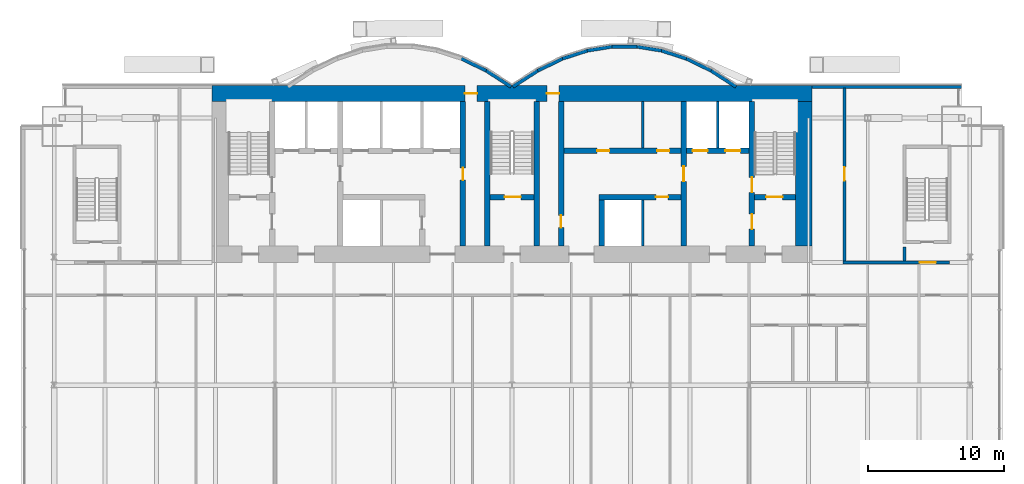
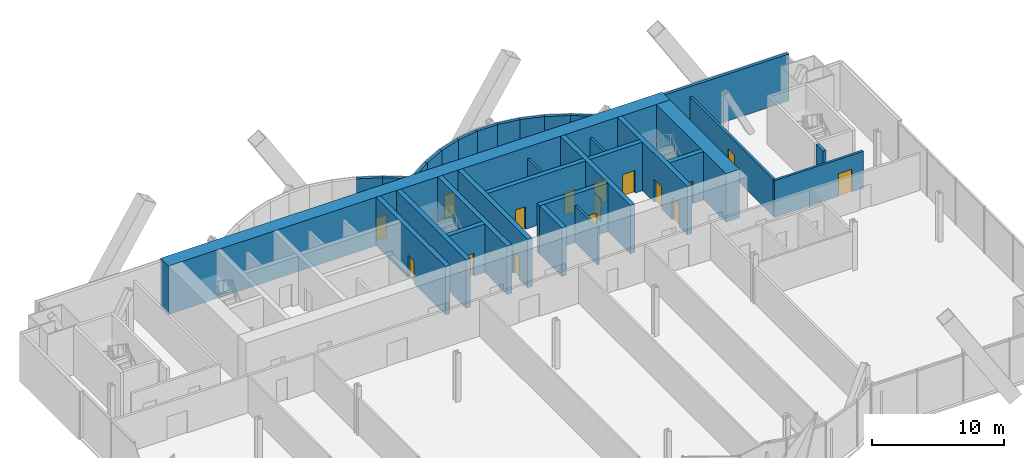
# One storey, part 18 of 23: 31 walls, 16 doors, 16 openings.
"""IFC4 building model written with IfcOpenShell, lengths in metres."""

from ifc_helpers import new_model, si_unit, direction, frame, frame_2d, origin, place, context, subcontext, project, spatial, rectangle, extrude, material, layer, layer_set, layer_usage, type_object, element, fill, save


model = new_model("IFC4")

# Units and contexts
model_context = context("Model", 3, precision=1e-05, world=origin(), true_north=direction((0.0, 1.0)))
body_context = subcontext(model_context, "Body", "Model", "MODEL_VIEW")
ifc_project = project(units=[si_unit("LENGTHUNIT", "METRE"), si_unit("AREAUNIT", "SQUARE_METRE"), si_unit("VOLUMEUNIT", "CUBIC_METRE"), si_unit("PLANEANGLEUNIT", "RADIAN"), si_unit("MASSUNIT", "GRAM", prefix="KILO")], contexts=[model_context])

# Site, building, storey
site_placement = place(None, origin())
site = spatial("IfcSite", under=ifc_project, at=site_placement, CompositionType="ELEMENT")
building_placement = place(site_placement, origin())
building = spatial("IfcBuilding", under=site, at=building_placement, Name="Bicima Exchange Tower", CompositionType="ELEMENT")
storey_placement = place(building_placement, frame((0.0, 0.0, 44.0)))
storey = spatial("IfcBuildingStorey", under=building, at=storey_placement, Name="L08", CompositionType="ELEMENT", Elevation=44.0)

# Walls
ifc_material_1 = material(Name="Gypsum board partition")
ifc_layer_1 = layer(ifc_material_1, 0.199951171875)
ifc_layer_set_1 = layer_set([ifc_layer_1], Name="Gypsum board partition")
wall_type_1 = type_object("IfcWallType", Name="Fire-rated gypsum partition 200 EI120", PredefinedType="PARTITIONING", material=ifc_layer_set_1)
for number, where, z_axis, x_axis, name in (
    (1, (9.60009765625, -11.800048828125, 0.0), (0.0, 0.0, 1.0), (0.0, 1.0, 0.0), "partition wall 20"),
    (2, (15.10009765625, -4.60009765625, 0.0), (0.0, 0.0, 1.0), (0.0, 1.0, 0.0), "partition wall 23"),
):
    element("IfcWall", number, at=place(storey_placement, frame(where, z_axis=z_axis, x_axis=x_axis)), inside=storey, type_object=wall_type_1, Name=name, PredefinedType="PARTITIONING", context=body_context, shape_type="SweptSolid", body=[
        extrude(rectangle(XDim=3.400146484375, YDim=0.199951171875, at=frame_2d((1.7001953125, 0.0))), origin(), (0.0, 0.0, 1.0), 3.418212890625),
    ])

# Wall, opening, door
ifc_layer_2 = layer(ifc_material_1, 0.199951171875)
ifc_layer_set_2 = layer_set([ifc_layer_2], Name="Gypsum board partition")
wall_type_2 = type_object("IfcWallType", Name="Fire-rated gypsum partition 200 EI60", PredefinedType="PARTITIONING", material=ifc_layer_set_2)
wall_1_placement = place(storey_placement, frame((24.300048828125, -13.0, 0.0), z_axis=(0.0, 0.0, 1.0), x_axis=(1.0, 0.0, 0.0)))
wall_1 = element("IfcWall", 3, at=wall_1_placement, inside=storey, type_object=wall_type_2, Name="partition wall 5", PredefinedType="PARTITIONING", context=body_context, shape_type="SweptSolid", body=[
    extrude(rectangle(XDim=7.800048828125, YDim=0.199951171875, at=frame_2d((3.89990234375, 0.0))), origin(), (0.0, 0.0, 1.0), 3.418212890625),
])
opening_1_placement = place(wall_1_placement, frame((5.60009765625, 0.0, 0.0)))
opening_1 = element("IfcOpeningElement", 4, at=opening_1_placement, cuts=wall_1, Name="Opening L08-003", PredefinedType="OPENING", context=body_context, shape_type="SweptSolid", body=[
    extrude(rectangle(XDim=1.199951171875, YDim=2.10009765625, at=frame_2d((0.60009765625, 1.050048828125))), frame((0.0, 0.11181640625, 0.0), z_axis=(0.0, -1.0, 0.0), x_axis=(1.0, 0.0, 0.0)), (0.0, 0.0, 1.0), 0.223876953125),
])
ifc_material_2 = material(Name="Steel fire door leaf", Category="steel")
door_type_1 = type_object("IfcDoorType", Name="Door 1200 swing FD30S", OperationType="SINGLE_SWING_LEFT", PredefinedType="DOOR", material=ifc_material_2)
door_1_placement = place(opening_1_placement, origin())
door_1 = element("IfcDoor", 5, at=door_1_placement, inside=storey, type_object=door_type_1, Name="Door", OperationType="SINGLE_SWING_RIGHT", OverallHeight=2.10009765625, OverallWidth=1.199951171875, PredefinedType="DOOR", context=body_context, shape_type="SweptSolid", body=[
    extrude(rectangle(XDim=1.199951171875, YDim=2.10009765625, at=frame_2d((0.60009765625, 1.050048828125))), frame((0.0, 0.02490234375, 0.0), z_axis=(0.0, -1.0, 0.0), x_axis=(1.0, 0.0, 0.0)), (0.0, 0.0, 1.0), 0.050048828125),
])
fill(opening_1, door_1)

wall_2_placement = place(storey_placement, frame((24.39990234375, -12.89990234375, 0.0), z_axis=(0.0, 0.0, 1.0), x_axis=(0.0, 1.0, 0.0)))
wall_2 = element("IfcWall", 6, at=wall_2_placement, inside=storey, type_object=wall_type_2, Name="partition wall 26", PredefinedType="PARTITIONING", context=body_context, shape_type="SweptSolid", body=[
    extrude(rectangle(XDim=12.68994140625, YDim=0.199951171875, at=frame_2d((6.344970703125, 0.0))), origin(), (0.0, 0.0, 1.0), 3.418212890625),
])
opening_2_placement = place(wall_2_placement, frame((5.89990234375, 0.0, 0.0)))
opening_2 = element("IfcOpeningElement", 7, at=opening_2_placement, cuts=wall_2, Name="Opening L08-006", PredefinedType="OPENING", context=body_context, shape_type="SweptSolid", body=[
    extrude(rectangle(XDim=1.0, YDim=2.10009765625, at=frame_2d((0.5, 1.050048828125))), frame((0.0, 0.11181640625, 0.0), z_axis=(0.0, -1.0, 0.0), x_axis=(1.0, 0.0, 0.0)), (0.0, 0.0, 1.0), 0.223876953125),
])
door_type_2 = type_object("IfcDoorType", Name="Door 1000 swing FD30S", OperationType="SINGLE_SWING_LEFT", PredefinedType="DOOR", material=ifc_material_2)
door_2_placement = place(opening_2_placement, frame((1.0, 0.0, 0.0), z_axis=(0.0, 0.0, 1.0), x_axis=(-1.0, 0.0, 0.0)))
door_2 = element("IfcDoor", 8, at=door_2_placement, inside=storey, type_object=door_type_2, Name="Door", OperationType="SINGLE_SWING_RIGHT", OverallHeight=2.10009765625, OverallWidth=1.0, PredefinedType="DOOR", context=body_context, shape_type="SweptSolid", body=[
    extrude(rectangle(XDim=1.0, YDim=2.10009765625, at=frame_2d((0.5, 1.050048828125))), frame((0.0, 0.02490234375, 0.0), z_axis=(0.0, -1.0, 0.0), x_axis=(1.0, 0.0, 0.0)), (0.0, 0.0, 1.0), 0.050048828125),
])
fill(opening_2, door_2)

# Wall
wall_3_placement = place(storey_placement, frame((9.60009765625, -4.60009765625, 0.0), z_axis=(0.0, 0.0, 1.0), x_axis=(0.0, 1.0, 0.0)))
element("IfcWall", 9, at=wall_3_placement, inside=storey, type_object=wall_type_2, Name="partition wall 21", PredefinedType="PARTITIONING", context=body_context, shape_type="SweptSolid", body=[
    extrude(rectangle(XDim=3.400146484375, YDim=0.199951171875, at=frame_2d((1.7001953125, 0.0))), origin(), (0.0, 0.0, 1.0), 3.418212890625),
])

# Wall, openings, doors
ifc_material_3 = material(Name="Concrete C60/75", Category="concrete")
ifc_layer_3 = layer(ifc_material_3, 1.199951171875)
ifc_layer_set_3 = layer_set([ifc_layer_3], Name="Concrete C60/75")
wall_type_3 = type_object("IfcWallType", Name="RC core wall 1200 C60/75", PredefinedType="SHEAR", material=ifc_layer_set_3)
wall_4_placement = place(storey_placement, frame((-22.0, -0.60009765625, 0.0), z_axis=(0.0, 0.0, 1.0), x_axis=(1.0, 0.0, 0.0)))
wall_4 = element("IfcWall", 10, at=wall_4_placement, inside=storey, type_object=wall_type_3, Name="Core wall north", PredefinedType="SHEAR", context=body_context, shape_type="SweptSolid", body=[
    extrude(rectangle(XDim=44.0, YDim=1.199951171875, at=frame_2d((22.0, 0.0))), origin(), (0.0, 0.0, 1.0), 4.5),
])
opening_3_placement = place(wall_4_placement, frame((18.550048828125, 0.0, 0.0)))
opening_3 = element("IfcOpeningElement", 11, at=opening_3_placement, cuts=wall_4, Name="Opening L08-C16", PredefinedType="OPENING", context=body_context, shape_type="SweptSolid", body=[
    extrude(rectangle(XDim=0.89990234375, YDim=2.10009765625, at=frame_2d((0.449951171875, 1.050048828125))), frame((0.0, 0.61181640625, 0.0), z_axis=(0.0, -1.0, 0.0), x_axis=(1.0, 0.0, 0.0)), (0.0, 0.0, 1.0), 1.223876953125),
])
opening_4_placement = place(wall_4_placement, frame((24.550048828125, 0.0, 0.0)))
opening_4 = element("IfcOpeningElement", 12, at=opening_4_placement, cuts=wall_4, Name="Opening L08-C17", PredefinedType="OPENING", context=body_context, shape_type="SweptSolid", body=[
    extrude(rectangle(XDim=0.89990234375, YDim=2.10009765625, at=frame_2d((0.449951171875, 1.050048828125))), frame((0.0, 0.61181640625, 0.0), z_axis=(0.0, -1.0, 0.0), x_axis=(1.0, 0.0, 0.0)), (0.0, 0.0, 1.0), 1.223876953125),
])
door_type_3 = type_object("IfcDoorType", Name="Door 900 swing FD30S", OperationType="SINGLE_SWING_LEFT", PredefinedType="DOOR", material=ifc_material_2)
door_3_placement = place(opening_3_placement, origin())
door_3 = element("IfcDoor", 13, at=door_3_placement, inside=storey, type_object=door_type_3, Name="Core door", OperationType="SINGLE_SWING_LEFT", OverallHeight=2.10009765625, OverallWidth=0.89990234375, PredefinedType="DOOR", context=body_context, shape_type="SweptSolid", body=[
    extrude(rectangle(XDim=0.89990234375, YDim=2.10009765625, at=frame_2d((0.449951171875, 1.050048828125))), frame((0.0, 0.02490234375, 0.0), z_axis=(0.0, -1.0, 0.0), x_axis=(1.0, 0.0, 0.0)), (0.0, 0.0, 1.0), 0.050048828125),
])
fill(opening_3, door_3)
door_4_placement = place(opening_4_placement, origin())
door_4 = element("IfcDoor", 14, at=door_4_placement, inside=storey, type_object=door_type_3, Name="Core door", OperationType="SINGLE_SWING_LEFT", OverallHeight=2.10009765625, OverallWidth=0.89990234375, PredefinedType="DOOR", context=body_context, shape_type="SweptSolid", body=[
    extrude(rectangle(XDim=0.89990234375, YDim=2.10009765625, at=frame_2d((0.449951171875, 1.050048828125))), frame((0.0, 0.02490234375, 0.0), z_axis=(0.0, -1.0, 0.0), x_axis=(1.0, 0.0, 0.0)), (0.0, 0.0, 1.0), 0.050048828125),
])
fill(opening_4, door_4)

# Walls
wall_5_placement = place(storey_placement, frame((21.39990234375, -11.800048828125, 0.0), z_axis=(0.0, 0.0, 1.0), x_axis=(0.0, 1.0, 0.0)))
element("IfcWall", 15, at=wall_5_placement, inside=storey, type_object=wall_type_3, Name="Core wall east", PredefinedType="SHEAR", context=body_context, shape_type="SweptSolid", body=[
    extrude(rectangle(XDim=10.60009765625, YDim=1.199951171875, at=frame_2d((5.300048828125, 0.0))), origin(), (0.0, 0.0, 1.0), 4.5),
])
ifc_material_4 = material(Name="Concrete C50/60", Category="concrete")
ifc_layer_4 = layer(ifc_material_4, 0.25)
ifc_layer_set_4 = layer_set([ifc_layer_4], Name="Concrete C50/60")
wall_type_4 = type_object("IfcWallType", Name="RC core wall 250 C50/60", PredefinedType="SHEAR", material=ifc_layer_set_4)
wall_6_placement = place(storey_placement, frame((28.800048828125, -12.89990234375, 0.0), z_axis=(0.0, 0.0, 1.0), x_axis=(0.0, 1.0, 0.0)))
element("IfcWall", 16, at=wall_6_placement, inside=storey, type_object=wall_type_4, Name="stair wall 28", PredefinedType="SHEAR", context=body_context, shape_type="SweptSolid", body=[
    extrude(rectangle(XDim=1.0498046875, YDim=0.25, at=frame_2d((0.52490234375, 0.0))), origin(), (0.0, 0.0, 1.0), 4.5),
])

# Wall, opening, door
ifc_layer_5 = layer(ifc_material_4, 0.39990234375)
ifc_layer_set_5 = layer_set([ifc_layer_5], Name="Concrete C50/60")
wall_type_5 = type_object("IfcWallType", Name="RC core wall 400 C50/60", PredefinedType="SHEAR", material=ifc_layer_set_5)
wall_7_placement = place(storey_placement, frame((-1.60009765625, -8.199951171875, 0.0), z_axis=(0.0, 0.0, 1.0), x_axis=(1.0, 0.0, 0.0)))
wall_7 = element("IfcWall", 17, at=wall_7_placement, inside=storey, type_object=wall_type_5, Name="stair wall 3", PredefinedType="SHEAR", context=body_context, shape_type="SweptSolid", body=[
    extrude(rectangle(XDim=3.2001953125, YDim=0.39990234375, at=frame_2d((1.60009765625, 0.0))), origin(), (0.0, 0.0, 1.0), 4.5),
])
opening_5_placement = place(wall_7_placement, frame((1.050048828125, 0.0, 0.0)))
opening_5 = element("IfcOpeningElement", 18, at=opening_5_placement, cuts=wall_7, Name="Opening L08-C03", PredefinedType="OPENING", context=body_context, shape_type="SweptSolid", body=[
    extrude(rectangle(XDim=1.199951171875, YDim=2.10009765625, at=frame_2d((0.60009765625, 1.050048828125))), frame((0.0, 0.2119140625, 0.0), z_axis=(0.0, -1.0, 0.0), x_axis=(1.0, 0.0, 0.0)), (0.0, 0.0, 1.0), 0.423828125),
])
door_type_4 = type_object("IfcDoorType", Name="Door 1200 swing FD60S", OperationType="SINGLE_SWING_LEFT", PredefinedType="DOOR", material=ifc_material_2)
door_5_placement = place(opening_5_placement, origin())
door_5 = element("IfcDoor", 19, at=door_5_placement, inside=storey, type_object=door_type_4, Name="Core door", OperationType="SINGLE_SWING_LEFT", OverallHeight=2.10009765625, OverallWidth=1.199951171875, PredefinedType="DOOR", context=body_context, shape_type="SweptSolid", body=[
    extrude(rectangle(XDim=1.199951171875, YDim=2.10009765625, at=frame_2d((0.60009765625, 1.050048828125))), frame((0.0, 0.02490234375, 0.0), z_axis=(0.0, -1.0, 0.0), x_axis=(1.0, 0.0, 0.0)), (0.0, 0.0, 1.0), 0.050048828125),
])
fill(opening_5, door_5)

wall_8_placement = place(storey_placement, frame((17.800048828125, -8.199951171875, 0.0), z_axis=(0.0, 0.0, 1.0), x_axis=(1.0, 0.0, 0.0)))
wall_8 = element("IfcWall", 20, at=wall_8_placement, inside=storey, type_object=wall_type_5, Name="stair wall 5", PredefinedType="SHEAR", context=body_context, shape_type="SweptSolid", body=[
    extrude(rectangle(XDim=3.0, YDim=0.39990234375, at=frame_2d((1.5, 0.0))), origin(), (0.0, 0.0, 1.0), 4.5),
])
opening_6_placement = place(wall_8_placement, frame((0.85009765625, 0.0, 0.0)))
opening_6 = element("IfcOpeningElement", 21, at=opening_6_placement, cuts=wall_8, Name="Opening L08-C04", PredefinedType="OPENING", context=body_context, shape_type="SweptSolid", body=[
    extrude(rectangle(XDim=1.199951171875, YDim=2.10009765625, at=frame_2d((0.60009765625, 1.050048828125))), frame((0.0, 0.2119140625, 0.0), z_axis=(0.0, -1.0, 0.0), x_axis=(1.0, 0.0, 0.0)), (0.0, 0.0, 1.0), 0.423828125),
])
door_6_placement = place(opening_6_placement, origin())
door_6 = element("IfcDoor", 22, at=door_6_placement, inside=storey, type_object=door_type_4, Name="Core door", OperationType="SINGLE_SWING_RIGHT", OverallHeight=2.10009765625, OverallWidth=1.199951171875, PredefinedType="DOOR", context=body_context, shape_type="SweptSolid", body=[
    extrude(rectangle(XDim=1.199951171875, YDim=2.10009765625, at=frame_2d((0.60009765625, 1.050048828125))), frame((0.0, 0.02490234375, 0.0), z_axis=(0.0, -1.0, 0.0), x_axis=(1.0, 0.0, 0.0)), (0.0, 0.0, 1.0), 0.050048828125),
])
fill(opening_6, door_6)

# Walls
for number, where, z_axis, x_axis, name in (
    (23, (-1.800048828125, -11.800048828125, 0.0), (0.0, 0.0, 1.0), (0.0, 1.0, 0.0), "stair wall 16"),
    (24, (1.800048828125, -11.800048828125, 0.0), (0.0, 0.0, 1.0), (0.0, 1.0, 0.0), "stair wall 17"),
):
    element("IfcWall", number, at=place(storey_placement, frame(where, z_axis=z_axis, x_axis=x_axis)), inside=storey, type_object=wall_type_5, Name=name, PredefinedType="SHEAR", context=body_context, shape_type="SweptSolid", body=[
        extrude(rectangle(XDim=10.60009765625, YDim=0.39990234375, at=frame_2d((5.300048828125, 0.0))), origin(), (0.0, 0.0, 1.0), 4.5),
    ])

# Wall, openings, doors
wall_9_placement = place(storey_placement, frame((17.60009765625, -11.800048828125, 0.0), z_axis=(0.0, 0.0, 1.0), x_axis=(0.0, 1.0, 0.0)))
wall_9 = element("IfcWall", 25, at=wall_9_placement, inside=storey, type_object=wall_type_5, Name="stair wall 24", PredefinedType="SHEAR", context=body_context, shape_type="SweptSolid", body=[
    extrude(rectangle(XDim=10.60009765625, YDim=0.39990234375, at=frame_2d((5.300048828125, 0.0))), origin(), (0.0, 0.0, 1.0), 4.5),
])
opening_7_placement = place(wall_9_placement, frame((1.25, 0.0, 0.0)))
opening_7 = element("IfcOpeningElement", 26, at=opening_7_placement, cuts=wall_9, Name="Opening L08-C05", PredefinedType="OPENING", context=body_context, shape_type="SweptSolid", body=[
    extrude(rectangle(XDim=1.10009765625, YDim=2.10009765625, at=frame_2d((0.550048828125, 1.050048828125))), frame((0.0, 0.2119140625, 0.0), z_axis=(0.0, -1.0, 0.0), x_axis=(1.0, 0.0, 0.0)), (0.0, 0.0, 1.0), 0.423828125),
])
opening_8_placement = place(wall_9_placement, frame((3.949951171875, 0.0, 0.0)))
opening_8 = element("IfcOpeningElement", 27, at=opening_8_placement, cuts=wall_9, Name="Opening L08-C08", PredefinedType="OPENING", context=body_context, shape_type="SweptSolid", body=[
    extrude(rectangle(XDim=1.10009765625, YDim=2.10009765625, at=frame_2d((0.550048828125, 1.050048828125))), frame((0.0, 0.2119140625, 0.0), z_axis=(0.0, -1.0, 0.0), x_axis=(1.0, 0.0, 0.0)), (0.0, 0.0, 1.0), 0.423828125),
])
door_type_5 = type_object("IfcDoorType", Name="Door 1100 swing FD60S", OperationType="SINGLE_SWING_LEFT", PredefinedType="DOOR", material=ifc_material_2)
door_7_placement = place(opening_7_placement, origin())
door_7 = element("IfcDoor", 28, at=door_7_placement, inside=storey, type_object=door_type_5, Name="Core door", OperationType="SINGLE_SWING_LEFT", OverallHeight=2.10009765625, OverallWidth=1.10009765625, PredefinedType="DOOR", context=body_context, shape_type="SweptSolid", body=[
    extrude(rectangle(XDim=1.10009765625, YDim=2.10009765625, at=frame_2d((0.550048828125, 1.050048828125))), frame((0.0, 0.02490234375, 0.0), z_axis=(0.0, -1.0, 0.0), x_axis=(1.0, 0.0, 0.0)), (0.0, 0.0, 1.0), 0.050048828125),
])
fill(opening_7, door_7)
door_8_placement = place(opening_8_placement, origin())
door_8 = element("IfcDoor", 29, at=door_8_placement, inside=storey, type_object=door_type_5, Name="Core door", OperationType="SINGLE_SWING_RIGHT", OverallHeight=2.10009765625, OverallWidth=1.10009765625, PredefinedType="DOOR", context=body_context, shape_type="SweptSolid", body=[
    extrude(rectangle(XDim=1.10009765625, YDim=2.10009765625, at=frame_2d((0.550048828125, 1.050048828125))), frame((0.0, 0.02490234375, 0.0), z_axis=(0.0, -1.0, 0.0), x_axis=(1.0, 0.0, 0.0)), (0.0, 0.0, 1.0), 0.050048828125),
])
fill(opening_8, door_8)

# Wall, opening, door
ifc_layer_6 = layer(ifc_material_3, 0.39990234375)
ifc_layer_set_6 = layer_set([ifc_layer_6], Name="Concrete C60/75")
wall_type_6 = type_object("IfcWallType", Name="RC core wall 400 C60/75", PredefinedType="SHEAR", material=ifc_layer_set_6)
wall_10_placement = place(storey_placement, frame((6.39990234375, -8.199951171875, 0.0), z_axis=(0.0, 0.0, 1.0), x_axis=(1.0, 0.0, 0.0)))
wall_10 = element("IfcWall", 30, at=wall_10_placement, inside=storey, type_object=wall_type_6, Name="shear wall 4", PredefinedType="SHEAR", context=body_context, shape_type="SweptSolid", body=[
    extrude(rectangle(XDim=6.0, YDim=0.39990234375, at=frame_2d((3.0, 0.0))), origin(), (0.0, 0.0, 1.0), 4.5),
])
opening_9_placement = place(wall_10_placement, frame((4.14990234375, 0.0, 0.0)))
opening_9 = element("IfcOpeningElement", 31, at=opening_9_placement, cuts=wall_10, Name="Opening L08-C15", PredefinedType="OPENING", context=body_context, shape_type="SweptSolid", body=[
    extrude(rectangle(XDim=0.89990234375, YDim=2.10009765625, at=frame_2d((0.449951171875, 1.050048828125))), frame((0.0, 0.2119140625, 0.0), z_axis=(0.0, -1.0, 0.0), x_axis=(1.0, 0.0, 0.0)), (0.0, 0.0, 1.0), 0.423828125),
])
door_9_placement = place(opening_9_placement, frame((0.89990234375, 0.0, 0.0), z_axis=(0.0, 0.0, 1.0), x_axis=(-1.0, 0.0, 0.0)))
door_9 = element("IfcDoor", 32, at=door_9_placement, inside=storey, type_object=door_type_3, Name="Core door", OperationType="SINGLE_SWING_RIGHT", OverallHeight=2.10009765625, OverallWidth=0.89990234375, PredefinedType="DOOR", context=body_context, shape_type="SweptSolid", body=[
    extrude(rectangle(XDim=0.89990234375, YDim=2.10009765625, at=frame_2d((0.449951171875, 1.050048828125))), frame((0.0, 0.02490234375, 0.0), z_axis=(0.0, -1.0, 0.0), x_axis=(1.0, 0.0, 0.0)), (0.0, 0.0, 1.0), 0.050048828125),
])
fill(opening_9, door_9)

# Wall, openings, doors
wall_11_placement = place(storey_placement, frame((3.800048828125, -4.800048828125, 0.0), z_axis=(0.0, 0.0, 1.0), x_axis=(1.0, 0.0, 0.0)))
wall_11 = element("IfcWall", 33, at=wall_11_placement, inside=storey, type_object=wall_type_6, Name="shear wall 7", PredefinedType="SHEAR", context=body_context, shape_type="SweptSolid", body=[
    extrude(rectangle(XDim=13.599853515625, YDim=0.39990234375, at=frame_2d((6.7998046875, 0.0))), origin(), (0.0, 0.0, 1.0), 4.5),
])
opening_10_placement = place(wall_11_placement, frame((9.449951171875, 0.0, 0.0)))
opening_10 = element("IfcOpeningElement", 34, at=opening_10_placement, cuts=wall_11, Name="Opening LD-FF2-L08", PredefinedType="OPENING", context=body_context, shape_type="SweptSolid", body=[
    extrude(rectangle(XDim=1.10009765625, YDim=2.10009765625, at=frame_2d((0.550048828125, 1.050048828125))), frame((0.0, 0.2119140625, 0.0), z_axis=(0.0, -1.0, 0.0), x_axis=(1.0, 0.0, 0.0)), (0.0, 0.0, 1.0), 0.423828125),
])
opening_11_placement = place(wall_11_placement, frame((11.85009765625, 0.0, 0.0)))
opening_11 = element("IfcOpeningElement", 35, at=opening_11_placement, cuts=wall_11, Name="Opening LD-SV1-L08", PredefinedType="OPENING", context=body_context, shape_type="SweptSolid", body=[
    extrude(rectangle(XDim=1.10009765625, YDim=2.10009765625, at=frame_2d((0.550048828125, 1.050048828125))), frame((0.0, 0.2119140625, 0.0), z_axis=(0.0, -1.0, 0.0), x_axis=(1.0, 0.0, 0.0)), (0.0, 0.0, 1.0), 0.423828125),
])
opening_12_placement = place(wall_11_placement, frame((2.449951171875, 0.0, 0.0)))
opening_12 = element("IfcOpeningElement", 36, at=opening_12_placement, cuts=wall_11, Name="Opening L08-C12", PredefinedType="OPENING", context=body_context, shape_type="SweptSolid", body=[
    extrude(rectangle(XDim=0.89990234375, YDim=2.10009765625, at=frame_2d((0.449951171875, 1.050048828125))), frame((0.0, 0.2119140625, 0.0), z_axis=(0.0, -1.0, 0.0), x_axis=(1.0, 0.0, 0.0)), (0.0, 0.0, 1.0), 0.423828125),
])
opening_13_placement = place(wall_11_placement, frame((6.85009765625, 0.0, 0.0)))
opening_13 = element("IfcOpeningElement", 37, at=opening_13_placement, cuts=wall_11, Name="Opening L08-C13", PredefinedType="OPENING", context=body_context, shape_type="SweptSolid", body=[
    extrude(rectangle(XDim=0.89990234375, YDim=2.10009765625, at=frame_2d((0.449951171875, 1.050048828125))), frame((0.0, 0.2119140625, 0.0), z_axis=(0.0, -1.0, 0.0), x_axis=(1.0, 0.0, 0.0)), (0.0, 0.0, 1.0), 0.423828125),
])
door_10_placement = place(opening_12_placement, origin())
door_10 = element("IfcDoor", 38, at=door_10_placement, inside=storey, type_object=door_type_3, Name="Core door", OperationType="SINGLE_SWING_RIGHT", OverallHeight=2.10009765625, OverallWidth=0.89990234375, PredefinedType="DOOR", context=body_context, shape_type="SweptSolid", body=[
    extrude(rectangle(XDim=0.89990234375, YDim=2.10009765625, at=frame_2d((0.449951171875, 1.050048828125))), frame((0.0, 0.02490234375, 0.0), z_axis=(0.0, -1.0, 0.0), x_axis=(1.0, 0.0, 0.0)), (0.0, 0.0, 1.0), 0.050048828125),
])
fill(opening_12, door_10)
door_11_placement = place(opening_13_placement, origin())
door_11 = element("IfcDoor", 39, at=door_11_placement, inside=storey, type_object=door_type_3, Name="Core door", OperationType="SINGLE_SWING_LEFT", OverallHeight=2.10009765625, OverallWidth=0.89990234375, PredefinedType="DOOR", context=body_context, shape_type="SweptSolid", body=[
    extrude(rectangle(XDim=0.89990234375, YDim=2.10009765625, at=frame_2d((0.449951171875, 1.050048828125))), frame((0.0, 0.02490234375, 0.0), z_axis=(0.0, -1.0, 0.0), x_axis=(1.0, 0.0, 0.0)), (0.0, 0.0, 1.0), 0.050048828125),
])
fill(opening_13, door_11)
ifc_material_5 = material(Name="Stainless steel", Category="steel")
door_type_6 = type_object("IfcDoorType", Name="Lift landing door 1100 sliding", OperationType="DOUBLE_DOOR_SLIDING", PredefinedType="DOOR", material=ifc_material_5)
door_12_placement = place(opening_10_placement, origin())
door_12 = element("IfcDoor", 40, at=door_12_placement, inside=storey, type_object=door_type_6, Name="Lift landing door FF2", OperationType="DOUBLE_DOOR_SLIDING", OverallHeight=2.10009765625, OverallWidth=1.10009765625, PredefinedType="DOOR", context=body_context, shape_type="SweptSolid", body=[
    extrude(rectangle(XDim=1.10009765625, YDim=2.10009765625, at=frame_2d((0.550048828125, 1.050048828125))), frame((0.0, 0.02490234375, 0.0), z_axis=(0.0, -1.0, 0.0), x_axis=(1.0, 0.0, 0.0)), (0.0, 0.0, 1.0), 0.050048828125),
])
fill(opening_10, door_12)
door_13_placement = place(opening_11_placement, origin())
door_13 = element("IfcDoor", 41, at=door_13_placement, inside=storey, type_object=door_type_6, Name="Lift landing door SV1", OperationType="DOUBLE_DOOR_SLIDING", OverallHeight=2.10009765625, OverallWidth=1.10009765625, PredefinedType="DOOR", context=body_context, shape_type="SweptSolid", body=[
    extrude(rectangle(XDim=1.10009765625, YDim=2.10009765625, at=frame_2d((0.550048828125, 1.050048828125))), frame((0.0, 0.02490234375, 0.0), z_axis=(0.0, -1.0, 0.0), x_axis=(1.0, 0.0, 0.0)), (0.0, 0.0, 1.0), 0.050048828125),
])
fill(opening_11, door_13)

# Wall, opening, door
wall_12_placement = place(storey_placement, frame((-3.60009765625, -11.800048828125, 0.0), z_axis=(0.0, 0.0, 1.0), x_axis=(0.0, 1.0, 0.0)))
wall_12 = element("IfcWall", 42, at=wall_12_placement, inside=storey, type_object=wall_type_6, Name="shear wall 15", PredefinedType="SHEAR", context=body_context, shape_type="SweptSolid", body=[
    extrude(rectangle(XDim=10.60009765625, YDim=0.39990234375, at=frame_2d((5.300048828125, 0.0))), origin(), (0.0, 0.0, 1.0), 4.5),
])
opening_14_placement = place(wall_12_placement, frame((4.85009765625, 0.0, 0.0)))
opening_14 = element("IfcOpeningElement", 43, at=opening_14_placement, cuts=wall_12, Name="Opening L08-C10", PredefinedType="OPENING", context=body_context, shape_type="SweptSolid", body=[
    extrude(rectangle(XDim=0.89990234375, YDim=2.10009765625, at=frame_2d((0.449951171875, 1.050048828125))), frame((0.0, 0.2119140625, 0.0), z_axis=(0.0, -1.0, 0.0), x_axis=(1.0, 0.0, 0.0)), (0.0, 0.0, 1.0), 0.423828125),
])
door_14_placement = place(opening_14_placement, frame((0.89990234375, 0.0, 0.0), z_axis=(0.0, 0.0, 1.0), x_axis=(-1.0, 0.0, 0.0)))
door_14 = element("IfcDoor", 44, at=door_14_placement, inside=storey, type_object=door_type_3, Name="Core door", OperationType="SINGLE_SWING_LEFT", OverallHeight=2.10009765625, OverallWidth=0.89990234375, PredefinedType="DOOR", context=body_context, shape_type="SweptSolid", body=[
    extrude(rectangle(XDim=0.89990234375, YDim=2.10009765625, at=frame_2d((0.449951171875, 1.050048828125))), frame((0.0, 0.02490234375, 0.0), z_axis=(0.0, -1.0, 0.0), x_axis=(1.0, 0.0, 0.0)), (0.0, 0.0, 1.0), 0.050048828125),
])
fill(opening_14, door_14)

wall_13_placement = place(storey_placement, frame((3.60009765625, -11.800048828125, 0.0), z_axis=(0.0, 0.0, 1.0), x_axis=(0.0, 1.0, 0.0)))
wall_13 = element("IfcWall", 45, at=wall_13_placement, inside=storey, type_object=wall_type_6, Name="shear wall 18", PredefinedType="SHEAR", context=body_context, shape_type="SweptSolid", body=[
    extrude(rectangle(XDim=10.60009765625, YDim=0.39990234375, at=frame_2d((5.300048828125, 0.0))), origin(), (0.0, 0.0, 1.0), 4.5),
])
opening_15_placement = place(wall_13_placement, frame((1.35009765625, 0.0, 0.0)))
opening_15 = element("IfcOpeningElement", 46, at=opening_15_placement, cuts=wall_13, Name="Opening L08-C11", PredefinedType="OPENING", context=body_context, shape_type="SweptSolid", body=[
    extrude(rectangle(XDim=0.89990234375, YDim=2.10009765625, at=frame_2d((0.449951171875, 1.050048828125))), frame((0.0, 0.2119140625, 0.0), z_axis=(0.0, -1.0, 0.0), x_axis=(1.0, 0.0, 0.0)), (0.0, 0.0, 1.0), 0.423828125),
])
door_15_placement = place(opening_15_placement, origin())
door_15 = element("IfcDoor", 47, at=door_15_placement, inside=storey, type_object=door_type_3, Name="Core door", OperationType="SINGLE_SWING_LEFT", OverallHeight=2.10009765625, OverallWidth=0.89990234375, PredefinedType="DOOR", context=body_context, shape_type="SweptSolid", body=[
    extrude(rectangle(XDim=0.89990234375, YDim=2.10009765625, at=frame_2d((0.449951171875, 1.050048828125))), frame((0.0, 0.02490234375, 0.0), z_axis=(0.0, -1.0, 0.0), x_axis=(1.0, 0.0, 0.0)), (0.0, 0.0, 1.0), 0.050048828125),
])
fill(opening_15, door_15)

# Wall
wall_14_placement = place(storey_placement, frame((6.60009765625, -11.800048828125, 0.0), z_axis=(0.0, 0.0, 1.0), x_axis=(0.0, 1.0, 0.0)))
element("IfcWall", 48, at=wall_14_placement, inside=storey, type_object=wall_type_6, Name="shear wall 19", PredefinedType="SHEAR", context=body_context, shape_type="SweptSolid", body=[
    extrude(rectangle(XDim=3.400146484375, YDim=0.39990234375, at=frame_2d((1.7001953125, 0.0))), origin(), (0.0, 0.0, 1.0), 4.5),
])

# Wall, opening, door
wall_15_placement = place(storey_placement, frame((12.60009765625, -11.800048828125, 0.0), z_axis=(0.0, 0.0, 1.0), x_axis=(0.0, 1.0, 0.0)))
wall_15 = element("IfcWall", 49, at=wall_15_placement, inside=storey, type_object=wall_type_6, Name="shear wall 22", PredefinedType="SHEAR", context=body_context, shape_type="SweptSolid", body=[
    extrude(rectangle(XDim=10.60009765625, YDim=0.39990234375, at=frame_2d((5.300048828125, 0.0))), origin(), (0.0, 0.0, 1.0), 4.5),
])
opening_16_placement = place(wall_15_placement, frame((4.75, 0.0, 0.0)))
opening_16 = element("IfcOpeningElement", 50, at=opening_16_placement, cuts=wall_15, Name="Opening L08-C09", PredefinedType="OPENING", context=body_context, shape_type="SweptSolid", body=[
    extrude(rectangle(XDim=1.10009765625, YDim=2.10009765625, at=frame_2d((0.550048828125, 1.050048828125))), frame((0.0, 0.2119140625, 0.0), z_axis=(0.0, -1.0, 0.0), x_axis=(1.0, 0.0, 0.0)), (0.0, 0.0, 1.0), 0.423828125),
])
door_16_placement = place(opening_16_placement, frame((1.10009765625, 0.0, 0.0), z_axis=(0.0, 0.0, 1.0), x_axis=(-1.0, 0.0, 0.0)))
door_16 = element("IfcDoor", 51, at=door_16_placement, inside=storey, type_object=door_type_5, Name="Core door", OperationType="SINGLE_SWING_RIGHT", OverallHeight=2.10009765625, OverallWidth=1.10009765625, PredefinedType="DOOR", context=body_context, shape_type="SweptSolid", body=[
    extrude(rectangle(XDim=1.10009765625, YDim=2.10009765625, at=frame_2d((0.550048828125, 1.050048828125))), frame((0.0, 0.02490234375, 0.0), z_axis=(0.0, -1.0, 0.0), x_axis=(1.0, 0.0, 0.0)), (0.0, 0.0, 1.0), 0.050048828125),
])
fill(opening_16, door_16)

# Walls
ifc_material_6 = material(Name="Concrete C40/50", Category="concrete")
ifc_layer_7 = layer(ifc_material_6, 0.25)
ifc_layer_set_7 = layer_set([ifc_layer_7], Name="Concrete C40/50")
ifc_layer_usage = layer_usage(ifc_layer_set_7, "AXIS2", "POSITIVE", -0.125)
wall_type_7 = type_object("IfcWallType", Name="Rear backup wall 250", PredefinedType="STANDARD", material=ifc_layer_set_7)
wall_16_placement = place(storey_placement, frame((33.0, -0.125, 0.0), z_axis=(0.0, 0.0, 1.0), x_axis=(-1.0, 0.0, 0.0)))
element("IfcWall", 52, at=wall_16_placement, inside=storey, type_object=wall_type_7, material=ifc_layer_usage, Name="Rear backup wall L08 1", PredefinedType="STANDARD", context=body_context, shape_type="SweptSolid", body=[
    extrude(rectangle(XDim=11.0, YDim=0.25, at=frame_2d((5.5, 0.0))), origin(), (0.0, 0.0, 1.0), 4.35009765625),
])
wall_17_placement = place(storey_placement, frame((16.43212890625, -0.10498046875, 0.0), z_axis=(0.0, 0.0, 1.0), x_axis=(-0.83981312244, 0.542875602121, 0.0)))
element("IfcWall", 53, at=wall_17_placement, inside=storey, type_object=wall_type_7, material=ifc_layer_usage, Name="Rear backup wall L08 2", PredefinedType="STANDARD", context=body_context, shape_type="SweptSolid", body=[
    extrude(rectangle(XDim=2.182861328125, YDim=0.25, at=frame_2d((1.09130859375, 0.0))), origin(), (0.0, 0.0, 1.0), 4.35009765625),
])
wall_18_placement = place(storey_placement, frame((14.6123046875, 1.07275390625, 0.0), z_axis=(0.0, 0.0, 1.0), x_axis=(-0.89982408427, 0.436252928206, 0.0)))
element("IfcWall", 54, at=wall_18_placement, inside=storey, type_object=wall_type_7, material=ifc_layer_usage, Name="Rear backup wall L08 3", PredefinedType="STANDARD", context=body_context, shape_type="SweptSolid", body=[
    extrude(rectangle(XDim=2.03759765625, YDim=0.25, at=frame_2d((1.018798828125, 0.0))), origin(), (0.0, 0.0, 1.0), 4.35009765625),
])
wall_19_placement = place(storey_placement, frame((12.794921875, 1.955078125, 0.0), z_axis=(0.0, 0.0, 1.0), x_axis=(-0.951495806175, 0.307661714928, 0.0)))
element("IfcWall", 55, at=wall_19_placement, inside=storey, type_object=wall_type_7, material=ifc_layer_usage, Name="Rear backup wall L08 4", PredefinedType="STANDARD", context=body_context, shape_type="SweptSolid", body=[
    extrude(rectangle(XDim=1.9267578125, YDim=0.25, at=frame_2d((0.96337890625, 0.0))), origin(), (0.0, 0.0, 1.0), 4.35009765625),
])
wall_20_placement = place(storey_placement, frame((10.97998046875, 2.543212890625, 0.0), z_axis=(0.0, 0.0, 1.0), x_axis=(-0.987181718931, 0.159600293885, 0.0)))
element("IfcWall", 56, at=wall_20_placement, inside=storey, type_object=wall_type_7, material=ifc_layer_usage, Name="Rear backup wall L08 5", PredefinedType="STANDARD", context=body_context, shape_type="SweptSolid", body=[
    extrude(rectangle(XDim=1.857177734375, YDim=0.25, at=frame_2d((0.9287109375, 0.0))), origin(), (0.0, 0.0, 1.0), 4.35009765625),
])
wall_21_placement = place(storey_placement, frame((9.166748046875, 2.837890625, 0.0), z_axis=(0.0, 0.0, 1.0), x_axis=(-1.0, 0.0, 0.0)))
element("IfcWall", 57, at=wall_21_placement, inside=storey, type_object=wall_type_7, material=ifc_layer_usage, Name="Rear backup wall L08 6", PredefinedType="STANDARD", context=body_context, shape_type="SweptSolid", body=[
    extrude(rectangle(XDim=1.83349609375, YDim=0.25, at=frame_2d((0.916748046875, 0.0))), origin(), (0.0, 0.0, 1.0), 4.35009765625),
])
wall_22_placement = place(storey_placement, frame((7.353271484375, 2.839599609375, 0.0), z_axis=(0.0, 0.0, 1.0), x_axis=(-0.987181718931, -0.159600293885, 0.0)))
element("IfcWall", 58, at=wall_22_placement, inside=storey, type_object=wall_type_7, material=ifc_layer_usage, Name="Rear backup wall L08 7", PredefinedType="STANDARD", context=body_context, shape_type="SweptSolid", body=[
    extrude(rectangle(XDim=1.857177734375, YDim=0.25, at=frame_2d((0.9287109375, 0.0))), origin(), (0.0, 0.0, 1.0), 4.35009765625),
])
wall_23_placement = place(storey_placement, frame((5.538330078125, 2.5478515625, 0.0), z_axis=(0.0, 0.0, 1.0), x_axis=(-0.951495806175, -0.307661714928, 0.0)))
element("IfcWall", 59, at=wall_23_placement, inside=storey, type_object=wall_type_7, material=ifc_layer_usage, Name="Rear backup wall L08 8", PredefinedType="STANDARD", context=body_context, shape_type="SweptSolid", body=[
    extrude(rectangle(XDim=1.9267578125, YDim=0.25, at=frame_2d((0.96337890625, 0.0))), origin(), (0.0, 0.0, 1.0), 4.35009765625),
])
wall_24_placement = place(storey_placement, frame((3.72119140625, 1.961669921875, 0.0), z_axis=(0.0, 0.0, 1.0), x_axis=(-0.89982408427, -0.436252928206, 0.0)))
element("IfcWall", 60, at=wall_24_placement, inside=storey, type_object=wall_type_7, material=ifc_layer_usage, Name="Rear backup wall L08 9", PredefinedType="STANDARD", context=body_context, shape_type="SweptSolid", body=[
    extrude(rectangle(XDim=2.03759765625, YDim=0.25, at=frame_2d((1.018798828125, 0.0))), origin(), (0.0, 0.0, 1.0), 4.35009765625),
])
for number, where, z_axis, x_axis, name in (
    (61, (1.901123046875, 1.080078125, 0.0), (0.0, 0.0, 1.0), (-0.83981312244, -0.542875602121, 0.0), "Rear backup wall L08 10"),
    (62, (-0.06787109375, -0.10498046875, 0.0), (0.0, 0.0, 1.0), (-0.83981312244, 0.542875602121, 0.0), "Rear backup wall L08 11"),
):
    element("IfcWall", number, at=place(storey_placement, frame(where, z_axis=z_axis, x_axis=x_axis)), inside=storey, type_object=wall_type_7, material=ifc_layer_usage, Name=name, PredefinedType="STANDARD", context=body_context, shape_type="SweptSolid", body=[
        extrude(rectangle(XDim=2.182861328125, YDim=0.25, at=frame_2d((1.09130859375, 0.0))), origin(), (0.0, 0.0, 1.0), 4.35009765625),
    ])
wall_25_placement = place(storey_placement, frame((-1.8876953125, 1.07275390625, 0.0), z_axis=(0.0, 0.0, 1.0), x_axis=(-0.89982408427, 0.436252928206, 0.0)))
element("IfcWall", 63, at=wall_25_placement, inside=storey, type_object=wall_type_7, material=ifc_layer_usage, Name="Rear backup wall L08 12", PredefinedType="STANDARD", context=body_context, shape_type="SweptSolid", body=[
    extrude(rectangle(XDim=2.03759765625, YDim=0.25, at=frame_2d((1.018798828125, 0.0))), origin(), (0.0, 0.0, 1.0), 4.35009765625),
])

save(model, "model.ifc")
